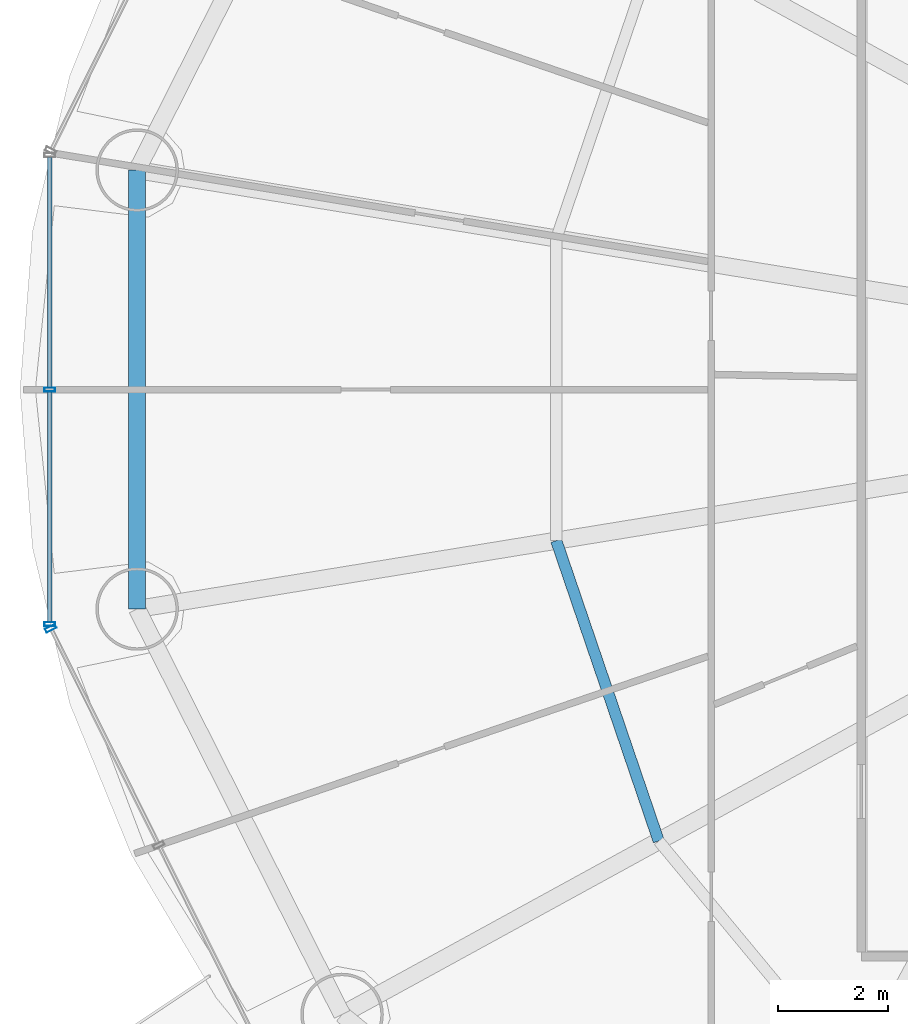
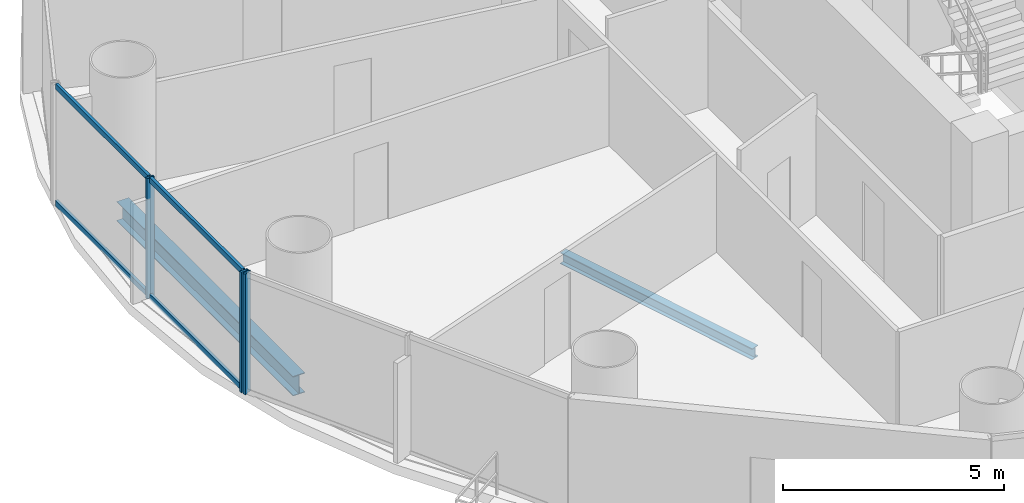
# One storey, part 7 of 29: 7 members, 2 beams, 2 elements without a shape of their own.
"""IFC4 building model written with IfcOpenShell, lengths in metres."""

from ifc_helpers import new_model, si_unit, direction, frame, origin, origin_2d, place, context, subcontext, project, spatial, hollow_rectangle, i_section, extrude, source, transform, mapped, material, material_profile, profile_set, type_object, element, aggregate, save


model = new_model("IFC4")

# Units and contexts
model_context = context("Model", 3, precision=1e-05, world=origin(), true_north=direction((-0.2419218956, 0.970295726276)))
body_context = subcontext(model_context, "Body", "Model", "MODEL_VIEW")
ifc_project = project(units=[si_unit("LENGTHUNIT", "METRE"), si_unit("AREAUNIT", "SQUARE_METRE"), si_unit("VOLUMEUNIT", "CUBIC_METRE"), si_unit("PLANEANGLEUNIT", "RADIAN"), si_unit("MASSUNIT", "GRAM", prefix="KILO")], contexts=[model_context])

# Site, building, storey
site_placement = place(None, origin())
site = spatial("IfcSite", under=ifc_project, at=site_placement, CompositionType="ELEMENT")
building_placement = place(site_placement, origin())
building = spatial("IfcBuilding", under=site, at=building_placement, Name="Cobrevalo Terracotta Tower", CompositionType="ELEMENT")
storey_placement = place(building_placement, frame((0.0, 0.0, 115.800048828125)))
storey = spatial("IfcBuildingStorey", under=building, at=storey_placement, Name="L30", CompositionType="ELEMENT", Elevation=115.800048828125)

# Beams
ifc_material_1 = material(Name="Steel S355", Category="steel")
ifc_material_profile_1 = material_profile(ifc_material_1, i_section(OverallWidth=0.2041015625, OverallDepth=0.305908203125, WebThickness=0.008544921875, FlangeThickness=0.0146484375, at=origin_2d()), Name="W 310x67")
ifc_profile_set_1 = profile_set([ifc_material_profile_1], Name="Steel S355")
beam_type_1 = type_object("IfcBeamType", Name="Structural Joist W 310x67 (Steel S355)", PredefinedType="JOIST", material=ifc_profile_set_1)
beam_1_placement = place(storey_placement, frame((21.149658203125, 24.052734375, -0.427978515625), z_axis=(0.322846227919, -0.946451431991, 0.0), x_axis=(0.946451431991, 0.322846227919, 0.0)))
element("IfcBeam", 1, at=beam_1_placement, inside=storey, type_object=beam_type_1, Name="L30 circumferential secondary floor joist 09", PredefinedType="JOIST", context=body_context, shape_type="SweptSolid", body=[
    extrude(i_section(OverallWidth=0.2041015625, OverallDepth=0.305908203125, WebThickness=0.008544921875, FlangeThickness=0.0146484375, at=origin_2d()), origin(), (0.0, 0.0, 1.0), 5.77001953125),
])
ifc_material_profile_2 = material_profile(ifc_material_1, i_section(OverallWidth=0.31201171875, OverallDepth=0.54296875, WebThickness=0.0126953125, FlangeThickness=0.020263671875, at=origin_2d()), Name="W 530x150")
ifc_profile_set_2 = profile_set([ifc_material_profile_2], Name="Steel S355")
beam_type_2 = type_object("IfcBeamType", Name="Structural Spandrel W 530x150 (Steel S355)", PredefinedType="SPANDREL", material=ifc_profile_set_2)
beam_2_placement = place(storey_placement, frame((13.529296875, 30.78955078125, -0.546630859375), z_axis=(0.0, -1.0, 0.0), x_axis=(1.0, 0.0, 0.0)))
element("IfcBeam", 2, at=beam_2_placement, inside=storey, type_object=beam_type_2, Name="L30 perimeter ring spandrel 08", PredefinedType="SPANDREL", context=body_context, shape_type="SweptSolid", body=[
    extrude(i_section(OverallWidth=0.31201171875, OverallDepth=0.54296875, WebThickness=0.0126953125, FlangeThickness=0.020263671875, at=origin_2d()), origin(), (0.0, 0.0, 1.0), 7.979248046875),
])

# Curtain wall, members
ifc_material_2 = material(Name="Anodized aluminium", Category="aluminium")
curtain_wall_type = type_object("IfcCurtainWallType", Name="Lower-tower unitised acoustic low-E curtain wall CW-U1", PredefinedType="NOTDEFINED", material=ifc_material_2)
curtain_wall_1_placement = place(storey_placement, origin())
curtain_wall_1 = element("IfcCurtainWall", 3, at=curtain_wall_1_placement, inside=storey, type_object=curtain_wall_type, Name="L30 curtain wall CW-L30-S08", PredefinedType="NOTDEFINED")
ifc_material_profile_3 = material_profile(ifc_material_2, hollow_rectangle(XDim=0.074951171875, YDim=0.14990234375, WallThickness=0.00439453125, at=origin_2d()), Name="CWT 75x150")
ifc_profile_set_3 = profile_set([ifc_material_profile_3], Name="Anodized aluminium")
member_type_1 = type_object("IfcMemberType", Name="Tower unitised aluminium transom 75x150", PredefinedType="USERDEFINED", material=ifc_profile_set_3)
shared_shape_1 = source(origin(), body_context, "Body", "SweptSolid", [
    extrude(hollow_rectangle(XDim=0.074951171875, YDim=0.14990234375, WallThickness=0.00439453125, at=origin_2d()), origin(), (0.0, 0.0, 1.0), 4.185546875),
])
member_1_placement = place(storey_placement, frame((11.9404296875, 31.025634765625, 0.050048828125), z_axis=(0.0, -1.0, 0.0), x_axis=(1.0, 0.0, 0.0)))
member_1 = element("IfcMember", 4, at=member_1_placement, type_object=member_type_1, Name="CW-L30-S08 transom B01-T1", ObjectType="TRANSOM", PredefinedType="USERDEFINED", context=body_context, shape_type="MappedRepresentation", body=[
    mapped(shared_shape_1, transform((0.0, 0.0, 0.0), scale=1.0)),
])
member_2_placement = place(storey_placement, frame((11.9404296875, 31.025634765625, 3.27490234375), z_axis=(0.0, -1.0, 0.0), x_axis=(1.0, 0.0, 0.0)))
member_2 = element("IfcMember", 5, at=member_2_placement, type_object=member_type_1, Name="CW-L30-S08 transom B01-T2", ObjectType="TRANSOM", PredefinedType="USERDEFINED", context=body_context, shape_type="MappedRepresentation", body=[
    mapped(shared_shape_1, transform((0.0, 0.0, 0.0), scale=1.0)),
])
member_3_placement = place(storey_placement, frame((11.9404296875, 26.760009765625, 0.050048828125), z_axis=(0.0, -1.0, 0.0), x_axis=(1.0, 0.0, 0.0)))
member_3 = element("IfcMember", 6, at=member_3_placement, type_object=member_type_1, Name="CW-L30-S08 transom B02-T1", ObjectType="TRANSOM", PredefinedType="USERDEFINED", context=body_context, shape_type="MappedRepresentation", body=[
    mapped(shared_shape_1, transform((0.0, 0.0, 0.0), scale=1.0)),
])
member_4_placement = place(storey_placement, frame((11.9404296875, 26.760009765625, 3.27490234375), z_axis=(0.0, -1.0, 0.0), x_axis=(1.0, 0.0, 0.0)))
member_4 = element("IfcMember", 7, at=member_4_placement, type_object=member_type_1, Name="CW-L30-S08 transom B02-T2", ObjectType="TRANSOM", PredefinedType="USERDEFINED", context=body_context, shape_type="MappedRepresentation", body=[
    mapped(shared_shape_1, transform((0.0, 0.0, 0.0), scale=1.0)),
])
ifc_material_profile_4 = material_profile(ifc_material_2, hollow_rectangle(XDim=0.074951171875, YDim=0.199951171875, WallThickness=0.0048828125, at=origin_2d()), Name="CWM 75x200")
ifc_profile_set_4 = profile_set([ifc_material_profile_4], Name="Anodized aluminium")
member_type_2 = type_object("IfcMemberType", Name="Lower/mid tower unitised mullion 75x200", PredefinedType="MULLION", material=ifc_profile_set_4)
shared_shape_2 = source(origin(), body_context, "Body", "SweptSolid", [
    extrude(hollow_rectangle(XDim=0.074951171875, YDim=0.199951171875, WallThickness=0.0048828125, at=origin_2d()), origin(), (0.0, 0.0, 1.0), 3.324951171875),
])
member_5_placement = place(storey_placement, frame((11.9404296875, 26.800048828125, 0.0), z_axis=(0.0, 0.0, 1.0), x_axis=(0.0, -1.0, 0.0)))
member_5 = element("IfcMember", 8, at=member_5_placement, type_object=member_type_2, Name="CW-L30-S08 vertical mullion 02", PredefinedType="MULLION", context=body_context, shape_type="MappedRepresentation", body=[
    mapped(shared_shape_2, transform((0.0, 0.0, 0.0), scale=1.0)),
])
member_6_placement = place(storey_placement, frame((11.9404296875, 22.534423828125, 0.0), z_axis=(0.0, 0.0, 1.0), x_axis=(0.0, -1.0, 0.0)))
member_6 = element("IfcMember", 9, at=member_6_placement, type_object=member_type_2, Name="CW-L30-S08 vertical mullion 03", PredefinedType="MULLION", context=body_context, shape_type="MappedRepresentation", body=[
    mapped(shared_shape_2, transform((0.0, 0.0, 0.0), scale=1.0)),
])
aggregate(curtain_wall_1, [member_5, member_6, member_1, member_2, member_3, member_4])

# Curtain wall, member
curtain_wall_2_placement = place(storey_placement, origin())
curtain_wall_2 = element("IfcCurtainWall", 10, at=curtain_wall_2_placement, inside=storey, type_object=curtain_wall_type, Name="L30 curtain wall CW-L30-S09", PredefinedType="NOTDEFINED")
member_7_placement = place(storey_placement, frame((11.95849609375, 22.45849609375, 0.0), z_axis=(0.0, 0.0, 1.0), x_axis=(0.446260290227, -0.894903208937, 0.0)))
member_7 = element("IfcMember", 11, at=member_7_placement, type_object=member_type_2, Name="CW-L30-S09 vertical mullion 01", PredefinedType="MULLION", context=body_context, shape_type="MappedRepresentation", body=[
    mapped(shared_shape_2, transform((0.0, 0.0, 0.0), scale=1.0)),
])
aggregate(curtain_wall_2, [member_7])

save(model, "model.ifc")
